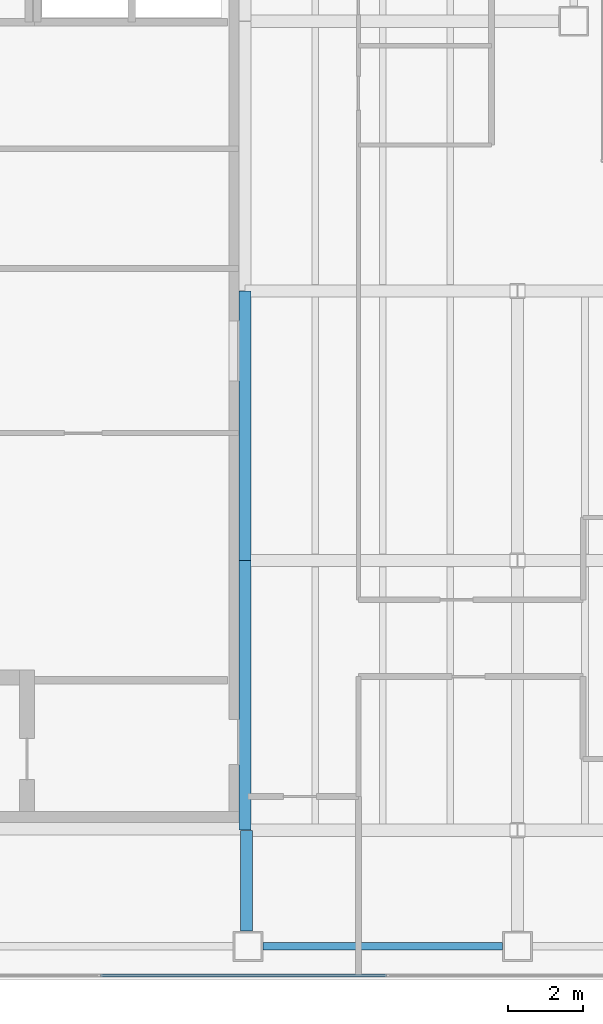
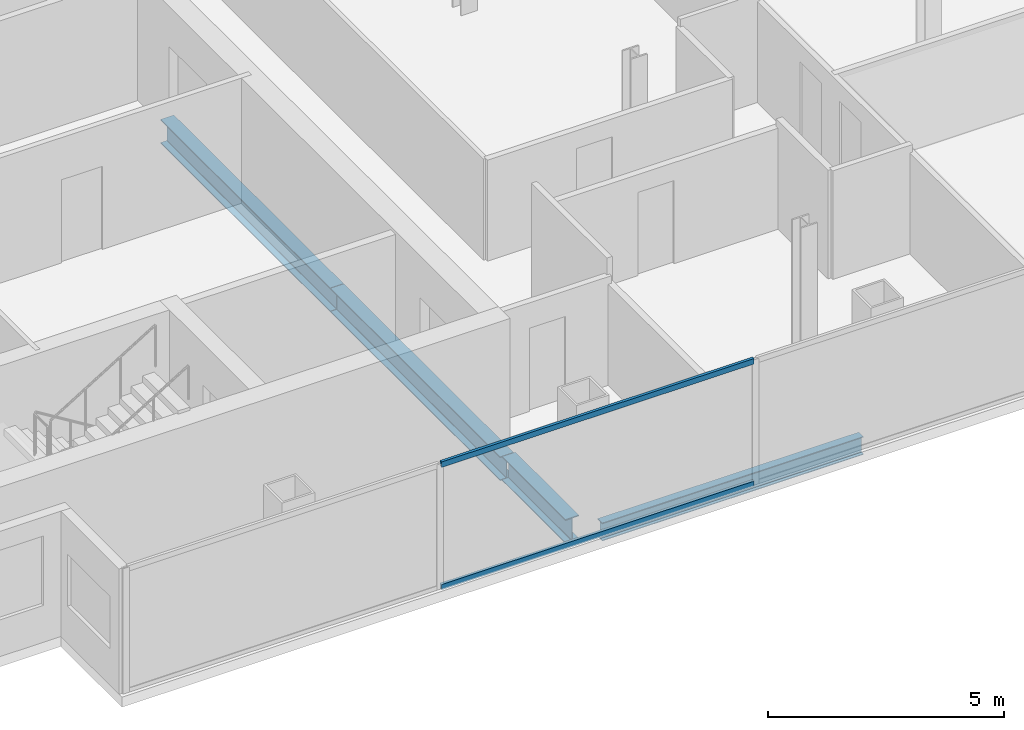
# One storey, part 3 of 23: 4 beams, 2 members, 1 element without a shape of its own.
"""IFC4 building model written with IfcOpenShell, lengths in metres."""

from ifc_helpers import new_model, si_unit, direction, frame, origin, origin_2d, place, context, subcontext, project, spatial, hollow_rectangle, i_section, extrude, material, material_profile, profile_set, type_object, element, aggregate, save


model = new_model("IFC4")

# Units and contexts
model_context = context("Model", 3, precision=1e-05, world=origin(), true_north=direction((0.0, 1.0)))
body_context = subcontext(model_context, "Body", "Model", "MODEL_VIEW")
ifc_project = project(units=[si_unit("LENGTHUNIT", "METRE"), si_unit("AREAUNIT", "SQUARE_METRE"), si_unit("VOLUMEUNIT", "CUBIC_METRE"), si_unit("PLANEANGLEUNIT", "RADIAN"), si_unit("MASSUNIT", "GRAM", prefix="KILO")], contexts=[model_context])

# Site, building, storey
site_placement = place(None, origin())
site = spatial("IfcSite", under=ifc_project, at=site_placement, CompositionType="ELEMENT")
building_placement = place(site_placement, origin())
building = spatial("IfcBuilding", under=site, at=building_placement, Name="Cobrela Telecom Tower", CompositionType="ELEMENT")
storey_placement = place(building_placement, frame((0.0, 0.0, 197.75)))
storey = spatial("IfcBuildingStorey", under=building, at=storey_placement, Name="L50", CompositionType="ELEMENT", Elevation=197.75)

# Beams
ifc_material_1 = material(Name="Steel ASTM A992 Grade 50", Category="steel")
ifc_material_profile_1 = material_profile(ifc_material_1, i_section(OverallWidth=0.327880859375, OverallDepth=0.6220703125, WebThickness=0.015380859375, FlangeThickness=0.0244140625, FilletRadius=0.014892578125, at=origin_2d()), Name="W24X131")
ifc_profile_set_1 = profile_set([ifc_material_profile_1], Name="Steel ASTM A992 Grade 50")
beam_type_1 = type_object("IfcBeamType", Name="BM-GIRD-06", PredefinedType="USERDEFINED", material=ifc_profile_set_1)
beam_1_placement = place(storey_placement, frame((14.360107421875, 4.5048828125, -0.571044921875), z_axis=(0.0, 1.0, 0.0), x_axis=(-1.0, 0.0, 0.0)))
element("IfcBeam", 1, at=beam_1_placement, inside=storey, type_object=beam_type_1, Name="L50 Primary Girder Y26", ObjectType="GIRDER", PredefinedType="USERDEFINED", context=body_context, shape_type="SweptSolid", body=[
    extrude(i_section(OverallWidth=0.327880859375, OverallDepth=0.6220703125, WebThickness=0.015380859375, FlangeThickness=0.0244140625, FilletRadius=0.014892578125, at=origin_2d()), origin(), (0.0, 0.0, 1.0), 2.690185546875),
])
for number, where, z_axis, x_axis, name in (
    (2, (14.320068359375, 7.205078125, -0.571044921875), (0.0, 1.0, 0.0), (-1.0, 0.0, 0.0), "L50 Primary Girder Y27"),
    (3, (14.320068359375, 14.405029296875, -0.571044921875), (0.0, 1.0, 0.0), (-1.0, 0.0, 0.0), "L50 Primary Girder Y28"),
):
    element("IfcBeam", number, at=place(storey_placement, frame(where, z_axis=z_axis, x_axis=x_axis)), inside=storey, type_object=beam_type_1, Name=name, ObjectType="GIRDER", PredefinedType="USERDEFINED", context=body_context, shape_type="SweptSolid", body=[
        extrude(i_section(OverallWidth=0.327880859375, OverallDepth=0.6220703125, WebThickness=0.015380859375, FlangeThickness=0.0244140625, FilletRadius=0.014892578125, at=origin_2d()), origin(), (0.0, 0.0, 1.0), 7.18994140625),
    ])
ifc_material_profile_2 = material_profile(ifc_material_1, i_section(OverallWidth=0.193115234375, OverallDepth=0.467041015625, WebThickness=0.011474609375, FlangeThickness=0.01904296875, FilletRadius=0.012939453125, at=origin_2d()), Name="W18X65")
ifc_profile_set_2 = profile_set([ifc_material_profile_2], Name="Steel ASTM A992 Grade 50")
beam_type_2 = type_object("IfcBeamType", Name="BM-SPAND-05", PredefinedType="SPANDREL", material=ifc_profile_set_2)
beam_2_placement = place(storey_placement, frame((14.804931640625, 4.10009765625, -0.493408203125), z_axis=(1.0, 0.0, 0.0), x_axis=(0.0, 1.0, 0.0)))
element("IfcBeam", 4, at=beam_2_placement, inside=storey, type_object=beam_type_2, Name="L50 Perimeter Spandrel X02", PredefinedType="SPANDREL", context=body_context, shape_type="SweptSolid", body=[
    extrude(i_section(OverallWidth=0.193115234375, OverallDepth=0.467041015625, WebThickness=0.011474609375, FlangeThickness=0.01904296875, FilletRadius=0.012939453125, at=origin_2d()), origin(), (0.0, 0.0, 1.0), 6.39013671875),
])

# Curtain wall, members
ifc_material_2 = material(Name="Anodized Bronze Aluminium 6063-T6", Category="aluminium")
curtain_wall_type = type_object("IfcCurtainWallType", Name="CW-SYS-OFF-LO", PredefinedType="USERDEFINED", material=ifc_material_2)
curtain_wall_placement = place(storey_placement, origin())
curtain_wall = element("IfcCurtainWall", 5, at=curtain_wall_placement, inside=storey, type_object=curtain_wall_type, Name="L50 Unitised Bronze Curtain Wall 17", ObjectType="UNITISED CURTAIN WALL", PredefinedType="USERDEFINED")
ifc_material_profile_3 = material_profile(ifc_material_2, hollow_rectangle(XDim=0.070068359375, YDim=0.139892578125, WallThickness=0.00390625, at=origin_2d()), Name="ALU 70x140x4")
ifc_profile_set_3 = profile_set([ifc_material_profile_3], Name="Anodized Bronze Aluminium 6063-T6")
member_type = type_object("IfcMemberType", Name="CW-SYS-OFF-LO-TRN", PredefinedType="USERDEFINED", material=ifc_profile_set_3)
member_1_placement = place(storey_placement, frame((18.10693359375, 3.320068359375, 0.034912109375), z_axis=(-1.0, 0.0, 0.0), x_axis=(0.0, -1.0, 0.0)))
member_1 = element("IfcMember", 6, at=member_1_placement, type_object=member_type, Name="CW-OFF-LO transom 4.1", ObjectType="TRANSOM", PredefinedType="USERDEFINED", context=body_context, shape_type="SweptSolid", body=[
    extrude(hollow_rectangle(XDim=0.070068359375, YDim=0.139892578125, WallThickness=0.00390625, at=origin_2d()), origin(), (0.0, 0.0, 1.0), 7.64599609375),
])
member_2_placement = place(storey_placement, frame((18.10693359375, 3.320068359375, 3.205078125), z_axis=(-1.0, 0.0, 0.0), x_axis=(0.0, -1.0, 0.0)))
member_2 = element("IfcMember", 7, at=member_2_placement, type_object=member_type, Name="CW-OFF-LO transom 4.2", ObjectType="TRANSOM", PredefinedType="USERDEFINED", context=body_context, shape_type="SweptSolid", body=[
    extrude(hollow_rectangle(XDim=0.070068359375, YDim=0.139892578125, WallThickness=0.00390625, at=origin_2d()), origin(), (0.0, 0.0, 1.0), 7.64599609375),
])
aggregate(curtain_wall, [member_1, member_2])

save(model, "model.ifc")
